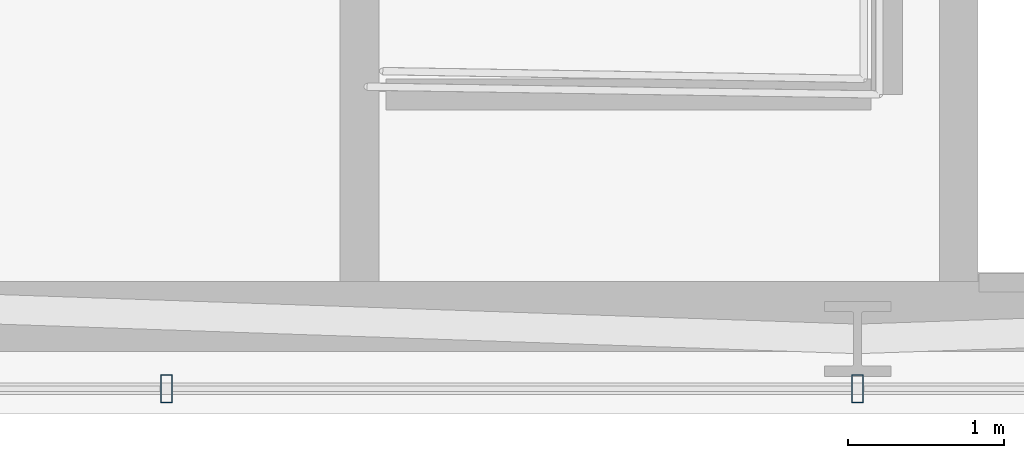
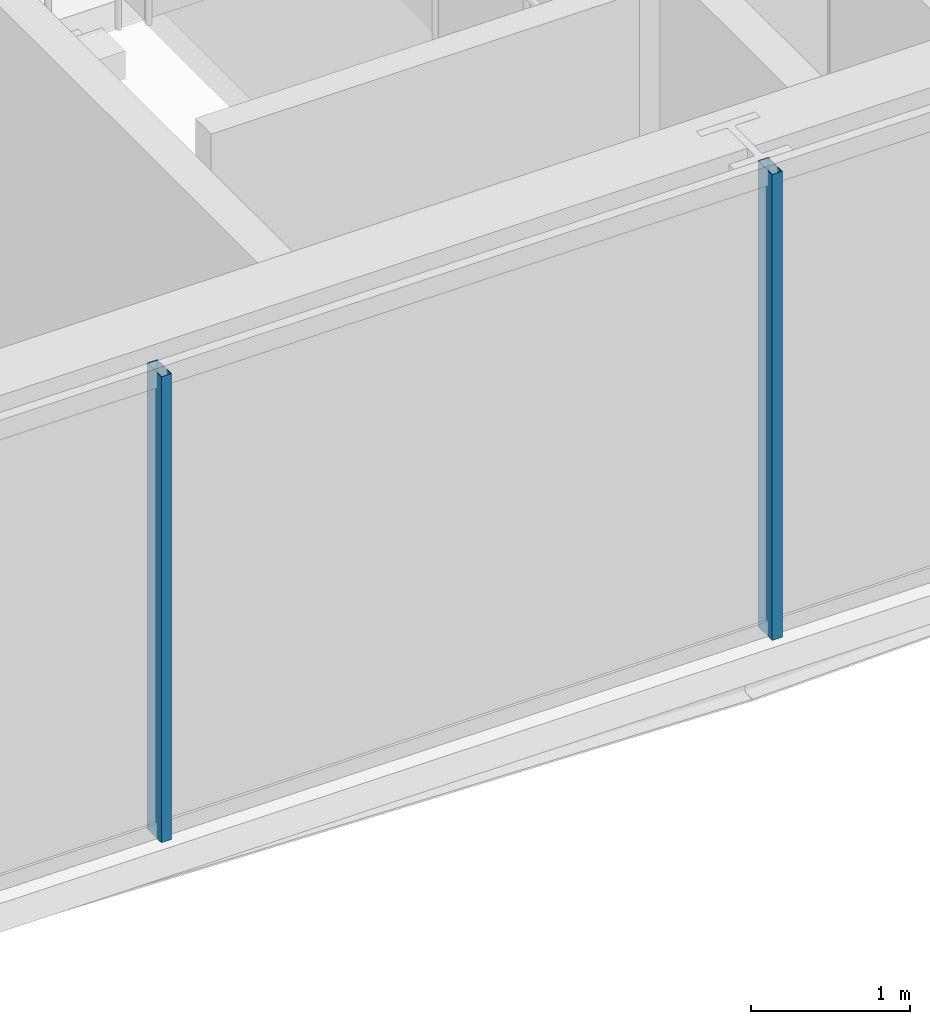
# One storey, part 7 of 31: 2 members, 1 element without a shape of its own.
"""IFC4 building model written with IfcOpenShell, lengths in metres."""

import ifcopenshell
import ifcopenshell.guid

model = None  # the IFC model being written
_history = None  # IfcOwnerHistory: only IFC2X3 demands one
_inside = {}  # id of a spatial element -> (the spatial element, [elements in it])
_under = {}  # id of a project, library or spatial element -> (it, [spatial elements below it])
_declared = {}  # id of a project -> (the project, [libraries it declares])
_typed = {}  # id of a type object -> (the type object, [elements of that type])
_made_of = {}  # id of a material, layer set ... -> (it, [elements and type objects made of it])


def new_model(schema):
    """Start an empty IFC model of exactly this schema.

    Asked for "IFC4X3", IfcOpenShell would pick the latest addendum, in which some entities
    have other attributes; the version numbers below select the first issue.
    IFC2X3 requires an IfcOwnerHistory on every rooted entity: one is made here for all.
    """
    global model, _history
    if schema == "IFC4X3":
        model = ifcopenshell.file(schema_version=(4, 3, 0, 0))
    else:
        model = ifcopenshell.file(schema=schema)
    _inside.clear()
    _under.clear()
    _declared.clear()
    _typed.clear()
    _made_of.clear()
    _history = None
    if model.schema == "IFC2X3":
        org = make("IfcOrganization", Name="unknown")
        user = make(
            "IfcPersonAndOrganization",
            ThePerson=make("IfcPerson", FamilyName="unknown"),
            TheOrganization=org,
        )
        app = make(
            "IfcApplication",
            ApplicationDeveloper=org,
            Version="unknown",
            ApplicationFullName="unknown",
            ApplicationIdentifier="unknown",
        )
        _history = make(
            "IfcOwnerHistory",
            OwningUser=user,
            OwningApplication=app,
            ChangeAction="ADDED",
            CreationDate=0,
        )
    return model


def make(cls, **values):
    """One entity of the class cls with the attributes given. An attribute that is None is left unset."""
    return model.create_entity(
        cls, **{name: value for name, value in values.items() if value is not None}
    )


def rooted(cls, **values):
    """An entity with a GlobalId (a new one), such as an element, a storey or a relation."""
    return make(cls, GlobalId=ifcopenshell.guid.new(), OwnerHistory=_history, **values)


def si_unit(unit_type, name, prefix=None):
    """IfcSIUnit, for example si_unit("LENGTHUNIT", "METRE", prefix="MILLI")."""
    return make("IfcSIUnit", UnitType=unit_type, Prefix=prefix, Name=name)


def assignment(units):
    """IfcUnitAssignment: the units of a project."""
    return None if units is None else make("IfcUnitAssignment", Units=units)


def point(xyz):
    """IfcCartesianPoint."""
    return None if xyz is None else make("IfcCartesianPoint", Coordinates=xyz)


def direction(xyz):
    """IfcDirection."""
    return None if xyz is None else make("IfcDirection", DirectionRatios=xyz)


def frame(location, z_axis=None, x_axis=None):
    """IfcAxis2Placement3D, a coordinate frame: its origin and axes. An axis left out is left unset."""
    return make(
        "IfcAxis2Placement3D",
        Location=point(location),
        Axis=direction(z_axis),
        RefDirection=direction(x_axis),
    )


def frame_2d(location, x_axis=None):
    """IfcAxis2Placement2D, a coordinate frame in the plane: its origin and x axis."""
    return make(
        "IfcAxis2Placement2D", Location=point(location), RefDirection=direction(x_axis)
    )


def origin():
    """The frame at (0, 0, 0) with its axes left unset."""
    return frame((0.0, 0.0, 0.0))


def origin_2d():
    """The frame at (0, 0) in the plane with its x axis left unset."""
    return frame_2d((0.0, 0.0))


def place(relative_to, where):
    """IfcLocalPlacement: puts the frame where relative to a parent placement (None: the world)."""
    return make(
        "IfcLocalPlacement", PlacementRelTo=relative_to, RelativePlacement=where
    )


def context(
    kind, dimensions, precision=None, world=None, true_north=None, identifier=None
):
    """IfcGeometricRepresentationContext, for example the 3D "Model" context."""
    return make(
        "IfcGeometricRepresentationContext",
        ContextIdentifier=identifier,
        ContextType=kind,
        CoordinateSpaceDimension=dimensions,
        Precision=precision,
        WorldCoordinateSystem=world,
        TrueNorth=true_north,
    )


def subcontext(parent, identifier, kind, view, scale=None):
    """IfcGeometricRepresentationSubContext, for example "Body" below "Model"."""
    return make(
        "IfcGeometricRepresentationSubContext",
        ContextIdentifier=identifier,
        ContextType=kind,
        ParentContext=parent,
        TargetScale=scale,
        TargetView=view,
    )


def project(units=None, contexts=None):
    """IfcProject with its units and contexts."""
    return rooted(
        "IfcProject",
        Name="project",
        RepresentationContexts=contexts,
        UnitsInContext=assignment(units),
    )


def spatial(cls, under=None, at=None, **own):
    """A site, building, storey or space (cls), placed at a placement, below another one or the project."""
    s = rooted(cls, ObjectPlacement=at, **own)
    if under is not None:
        _under.setdefault(under.id(), (under, []))[1].append(s)
    return s


def profile(cls, at=None, kind="AREA", **sizes):
    """A parametric profile (cls). Its sizes go by their IFC names, for example OverallWidth=200.0."""
    return make(cls, ProfileType=kind, Position=at, **sizes)


def hollow_rectangle(**sizes):
    """IfcRectangleHollowProfileDef."""
    return profile("IfcRectangleHollowProfileDef", **sizes)


def extrude(swept, where, along, depth):
    """IfcExtrudedAreaSolid: the profile swept, set in the frame where, extruded along a direction by depth."""
    return make(
        "IfcExtrudedAreaSolid",
        SweptArea=swept,
        Position=where,
        ExtrudedDirection=direction(along),
        Depth=depth,
    )


def shape(context_of_items, identifier, shape_type, items):
    """IfcShapeRepresentation: the items that make up one representation, for example the "Body"."""
    return make(
        "IfcShapeRepresentation",
        ContextOfItems=context_of_items,
        RepresentationIdentifier=identifier,
        RepresentationType=shape_type,
        Items=items,
    )


def material(Name=None, Category=None):
    """IfcMaterial."""
    return make("IfcMaterial", Name=Name, Category=Category)


def layer(
    of_material, thickness, ventilated=None, Name=None, Category=None, Priority=None
):
    """IfcMaterialLayer: one layer of a wall or slab, of a material (None: an air gap)."""
    return make(
        "IfcMaterialLayer",
        Material=of_material,
        LayerThickness=thickness,
        IsVentilated=ventilated,
        Name=Name,
        Category=Category,
        Priority=Priority,
    )


def layer_set(layers, Name=None):
    """IfcMaterialLayerSet."""
    return make("IfcMaterialLayerSet", MaterialLayers=layers, LayerSetName=Name)


def material_profile(
    of_material, cross_section, Name=None, Category=None, Priority=None
):
    """IfcMaterialProfile: a cross section and its material."""
    return make(
        "IfcMaterialProfile",
        Name=Name,
        Material=of_material,
        Profile=cross_section,
        Priority=Priority,
        Category=Category,
    )


def profile_set(profiles, Name=None, composite=None):
    """IfcMaterialProfileSet."""
    return make(
        "IfcMaterialProfileSet",
        Name=Name,
        MaterialProfiles=profiles,
        CompositeProfile=composite,
    )


def made_of(thing, what):
    """Note that an element or type object is made of a material, layer set ...; save() writes the relation."""
    if what is not None:
        _made_of.setdefault(what.id(), (what, []))[1].append(thing)
    return thing


def type_object(cls, material=None, **own):
    """A type object (cls), such as IfcWallType, which elements share."""
    return made_of(rooted(cls, **own), material)


def element(
    cls,
    number,
    at=None,
    inside=None,
    cuts=None,
    type_object=None,
    material=None,
    context=None,
    identifier="Body",
    shape_type=None,
    held_by="IfcProductDefinitionShape",
    body=None,
    shapes=None,
    **own,
):
    """One element of the class cls, such as IfcWall. Its Tag is "e" and its number.

    at: its placement. inside: the storey or other place that contains it. cuts: it is an
    opening in that element (IfcRelVoidsElement). A single representation is given by context,
    identifier, shape_type and body (its items); several are given by shapes. held_by: the class
    of the entity that holds the representations. save() writes the other relations.
    """
    e = rooted(cls, Tag="e%d" % number, ObjectPlacement=at, **own)
    if body is not None:
        shapes = [shape(context, identifier, shape_type, body)]
    if shapes is not None:
        e.Representation = make(held_by, Representations=shapes)
    if inside is not None:
        _inside.setdefault(inside.id(), (inside, []))[1].append(e)
    if cuts is not None:
        rooted(
            "IfcRelVoidsElement", RelatingBuildingElement=cuts, RelatedOpeningElement=e
        )
    if type_object is not None:
        _typed.setdefault(type_object.id(), (type_object, []))[1].append(e)
    return made_of(e, material)


def aggregate(whole, parts):
    """IfcRelAggregates: a whole, such as a stair, and the parts it consists of."""
    return rooted("IfcRelAggregates", RelatingObject=whole, RelatedObjects=parts)


def save(model, path):
    """Write the relations noted so far, then the file.

    IfcRelAggregates (storeys below a building ...), IfcRelContainedInSpatialStructure (elements
    in a storey), IfcRelDefinesByType, IfcRelAssociatesMaterial and IfcRelDeclares: one each for
    every whole, place, type object, material and project.
    """
    for whole, parts in _under.values():
        aggregate(whole, parts)
    for where, things in _inside.values():
        rooted(
            "IfcRelContainedInSpatialStructure",
            RelatedElements=things,
            RelatingStructure=where,
        )
    for kind, things in _typed.values():
        rooted("IfcRelDefinesByType", RelatedObjects=things, RelatingType=kind)
    for what, things in _made_of.values():
        rooted("IfcRelAssociatesMaterial", RelatedObjects=things, RelatingMaterial=what)
    for by, libraries in _declared.values():
        rooted("IfcRelDeclares", RelatingContext=by, RelatedDefinitions=libraries)
    model.write(path)


model = new_model("IFC4")

# Units and contexts
model_context = context("Model", 3, precision=1e-05, world=origin(), true_north=direction((0.0, 1.0)))
body_context = subcontext(model_context, "Body", "Model", "MODEL_VIEW")
ifc_project = project(units=[si_unit("LENGTHUNIT", "METRE"), si_unit("AREAUNIT", "SQUARE_METRE"), si_unit("VOLUMEUNIT", "CUBIC_METRE"), si_unit("PLANEANGLEUNIT", "RADIAN"), si_unit("MASSUNIT", "GRAM", prefix="KILO")], contexts=[model_context])

# Site, building, storey
site_placement = place(None, origin())
site = spatial("IfcSite", under=ifc_project, at=site_placement, CompositionType="ELEMENT")
building_placement = place(site_placement, origin())
building = spatial("IfcBuilding", under=site, at=building_placement, Name="Ndaravel Arena Tower", CompositionType="ELEMENT")
storey_placement = place(building_placement, frame((0.0, 0.0, 142.199951171875)))
storey = spatial("IfcBuildingStorey", under=building, at=storey_placement, Name="L33", CompositionType="ELEMENT", Elevation=142.199951171875)

# Curtain wall, members
ifc_material_1 = material(Name="Aluminium", Category="aluminium")
ifc_layer = layer(ifc_material_1, 0.179931640625)
ifc_layer_set = layer_set([ifc_layer], Name="Aluminium")
curtain_wall_type = type_object("IfcCurtainWallType", Name="CW-SYS-03", PredefinedType="NOTDEFINED", material=ifc_layer_set)
curtain_wall_placement = place(storey_placement, origin())
curtain_wall = element("IfcCurtainWall", 1, at=curtain_wall_placement, inside=storey, type_object=curtain_wall_type, Name="L33 Faceted Crystal Curtain Wall CW-L33-E01", PredefinedType="NOTDEFINED")
ifc_material_2 = material(Name="Aluminium", Category="aluminium")
ifc_material_profile = material_profile(ifc_material_2, hollow_rectangle(XDim=0.074951171875, YDim=0.179931640625, WallThickness=0.00390625, at=origin_2d()), Name="CW MULLION 75x180x4")
ifc_profile_set = profile_set([ifc_material_profile], Name="Aluminium")
member_type = type_object("IfcMemberType", Name="MEM-CW-MUL180", PredefinedType="MULLION", material=ifc_profile_set)
member_1_placement = place(storey_placement, frame((37.56005859375, 5.159912109375, 0.0), z_axis=(0.0, 0.0, 1.0), x_axis=(1.0, 0.0, 0.0)))
member_1 = element("IfcMember", 2, at=member_1_placement, type_object=member_type, Name="CW-L33-E01 Mullion 03", PredefinedType="MULLION", context=body_context, shape_type="SweptSolid", body=[
    extrude(hollow_rectangle(XDim=0.074951171875, YDim=0.179931640625, WallThickness=0.00390625, at=origin_2d()), origin(), (0.0, 0.0, 1.0), 3.580078125),
])
member_2_placement = place(storey_placement, frame((42.0, 5.159912109375, 0.0), z_axis=(0.0, 0.0, 1.0), x_axis=(1.0, 0.0, 0.0)))
member_2 = element("IfcMember", 3, at=member_2_placement, type_object=member_type, Name="CW-L33-E01 Mullion 04", PredefinedType="MULLION", context=body_context, shape_type="SweptSolid", body=[
    extrude(hollow_rectangle(XDim=0.074951171875, YDim=0.179931640625, WallThickness=0.00390625, at=origin_2d()), origin(), (0.0, 0.0, 1.0), 3.580078125),
])
aggregate(curtain_wall, [member_1, member_2])

save(model, "model.ifc")
